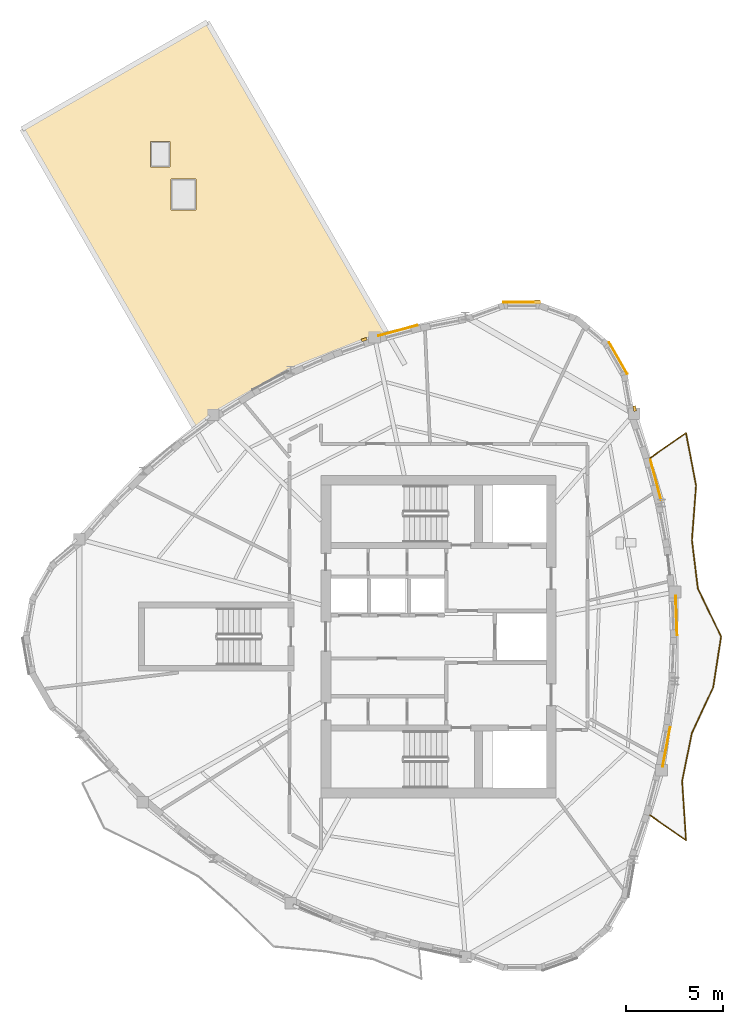
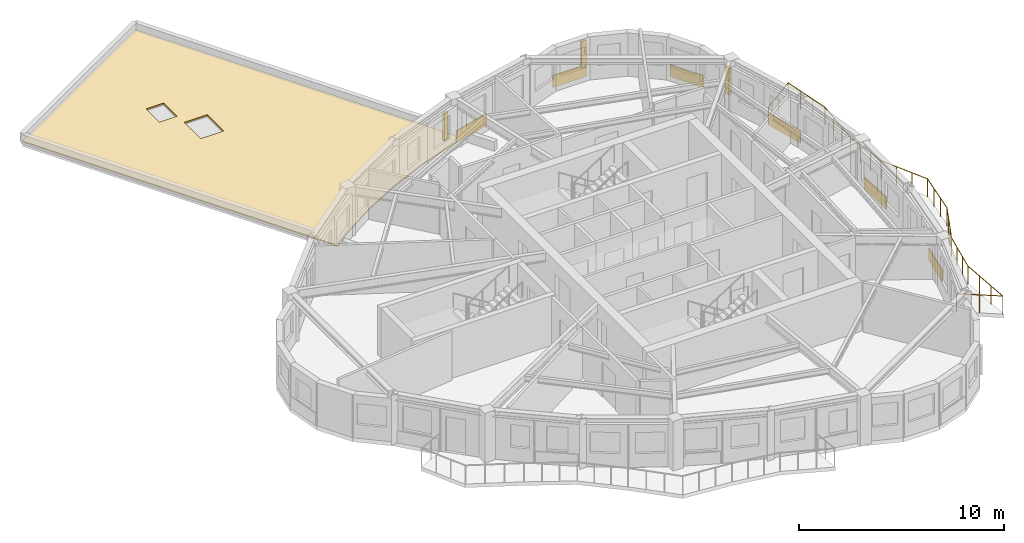
# One storey, part 10 of 11: 7 coverings, 3 shading devices, 1 railing.
"""IFC4 building model written with IfcOpenShell, lengths in metres."""

from ifc_helpers import new_model, si_unit, direction, frame, origin, origin_2d, place, context, subcontext, project, spatial, polyline, rectangle, circle, outline, extrude, source, transform, mapped, material, layer, layer_set, type_object, element, save


model = new_model("IFC4")

# Units and contexts
model_context = context("Model", 3, precision=1e-05, world=origin(), true_north=direction((0.0, 1.0)))
body_context = subcontext(model_context, "Body", "Model", "MODEL_VIEW")
ifc_project = project(units=[si_unit("LENGTHUNIT", "METRE"), si_unit("AREAUNIT", "SQUARE_METRE"), si_unit("VOLUMEUNIT", "CUBIC_METRE"), si_unit("PLANEANGLEUNIT", "RADIAN"), si_unit("MASSUNIT", "GRAM", prefix="KILO")], contexts=[model_context])

# Site, building, storey
site_placement = place(None, origin())
site = spatial("IfcSite", under=ifc_project, at=site_placement, CompositionType="ELEMENT")
building_placement = place(site_placement, origin())
building = spatial("IfcBuilding", under=site, at=building_placement, Name="Qafzar Sky-Pleat Residences", CompositionType="ELEMENT")
storey_placement = place(building_placement, frame((0.0, 0.0, 214.800048828125)))
storey = spatial("IfcBuildingStorey", under=building, at=storey_placement, Name="L64", CompositionType="ELEMENT", Elevation=214.800048828125)

# Covering
ifc_material_1 = material(Name="Inverted elastomeric waterproofing membrane and gravel ballast")
ifc_layer_1 = layer(ifc_material_1, 0.080078125)
ifc_layer_set_1 = layer_set([ifc_layer_1], Name="Inverted elastomeric waterproofing membrane and gravel ballast")
covering_type_1 = type_object("IfcCoveringType", Name="COV-ROOF-MEMB", PredefinedType="ROOFING", material=ifc_layer_set_1)
covering_1_placement = place(storey_placement, origin())
element("IfcCovering", 1, at=covering_1_placement, inside=storey, type_object=covering_type_1, Name="L64 SB-5 Roof Waterproofing Membrane", PredefinedType="ROOFING", context=body_context, shape_type="SweptSolid", body=[
    extrude(outline(polyline([(8.912353515625, 52.131103515625), (18.438720703125, 57.631103515625), (27.694091796875, 41.60009765625), (27.04833984375, 41.42578125), (27.04736328125, 41.42529296875), (24.841796875, 40.655517578125), (24.8408203125, 40.6552734375), (22.722412109375, 39.734130859375), (22.721435546875, 39.733642578125), (20.6904296875, 38.661865234375), (20.689453125, 38.6611328125), (18.74560546875, 37.438232421875), (18.74462890625, 37.4375), (17.799560546875, 36.738037109375), (8.912353515625, 52.131103515625)]), holes=[polyline([(16.562744140625, 47.954345703125), (17.86279296875, 47.954345703125), (17.86279296875, 49.55419921875), (16.562744140625, 49.55419921875), (16.562744140625, 47.954345703125)]), polyline([(15.5126953125, 50.182861328125), (16.5126953125, 50.182861328125), (16.5126953125, 51.48291015625), (15.5126953125, 51.48291015625), (15.5126953125, 50.182861328125)])]), origin(), (0.0, 0.0, 1.0), 0.079833984375),
])

# Shading devices
ifc_material_2 = material(Name="Honed Riyadh limestone solar fin", Category="masonry")
ifc_layer_2 = layer(ifc_material_2, 0.139892578125)
ifc_layer_set_2 = layer_set([ifc_layer_2], Name="Honed Riyadh limestone solar fin")
shading_device_type = type_object("IfcShadingDeviceType", Name="SHD-FIN-STONE", PredefinedType="SHUTTER", material=ifc_layer_set_2)
shared_shape_1 = source(origin(), body_context, "Body", "SweptSolid", [
    extrude(rectangle(XDim=0.139892578125, YDim=0.280029296875, at=origin_2d()), origin(), (0.0, 0.0, 1.0), 1.60009765625),
])
for number, where, z_axis, x_axis, name in (
    (2, (40.443603515625, 37.743408203125, 0.599853515625), (0.0, 0.0, 1.0), (0.984807537751, 0.173649398471, 0.0), "L64 Limestone Solar Fin 33"),
    (3, (35.429931640625, 43.251708984375, 0.599853515625), (0.0, 0.0, 1.0), (0.0, 1.0, 0.0), "L64 Limestone Solar Fin 37"),
    (4, (26.514404296875, 41.292236328125, 0.599853515625), (0.0, 0.0, 1.0), (-0.329539896902, 0.944141650575, 0.0), "L64 Limestone Solar Fin 41"),
):
    element("IfcShadingDevice", number, at=place(storey_placement, frame(where, z_axis=z_axis, x_axis=x_axis)), inside=storey, type_object=shading_device_type, Name=name, PredefinedType="SHUTTER", context=body_context, shape_type="MappedRepresentation", body=[
        mapped(shared_shape_1, transform((0.0, 0.0, 0.0), x_axis=(1.0, 0.0, 0.0), y_axis=(0.0, 1.0, 0.0), z_axis=(0.0, 0.0, 1.0), scale=1.0)),
    ])

# Coverings
ifc_material_3 = material(Name="Honed Riyadh Tuwaiq limestone cladding", Category="masonry")
ifc_layer_3 = layer(ifc_material_3, 0.044921875)
ifc_layer_set_3 = layer_set([ifc_layer_3], Name="Honed Riyadh Tuwaiq limestone cladding")
covering_type_2 = type_object("IfcCoveringType", Name="COV-CLAD-STONE", PredefinedType="CLADDING", material=ifc_layer_set_3)
shared_shape_2 = source(origin(), body_context, "Body", "SweptSolid", [
    extrude(rectangle(XDim=1.88134765625, YDim=0.044921875, at=origin_2d()), origin(), (0.0, 0.0, 1.0), 0.719970703125),
])
covering_2_placement = place(storey_placement, frame((34.625, 43.208740234375, 0.02001953125), z_axis=(0.0, 0.0, 1.0), x_axis=(-1.0, 0.0, 0.0)))
element("IfcCovering", 5, at=covering_2_placement, inside=storey, type_object=covering_type_2, Name="L64 Riyadh Limestone Spandrel Cladding 37", PredefinedType="CLADDING", context=body_context, shape_type="MappedRepresentation", body=[
    mapped(shared_shape_2, transform((0.0, 0.0, 0.0), x_axis=(1.0, 0.0, 0.0), y_axis=(0.0, 1.0, 0.0), z_axis=(0.0, 0.0, 1.0), scale=1.0)),
])
shared_shape_3 = source(origin(), body_context, "Body", "SweptSolid", [
    extrude(rectangle(XDim=1.881103515625, YDim=0.044921875, at=origin_2d()), origin(), (0.0, 0.0, 1.0), 0.719970703125),
])
covering_3_placement = place(storey_placement, frame((39.5908203125, 40.341796875, 0.02001953125), z_axis=(0.0, 0.0, 1.0), x_axis=(-0.499993018474, 0.866029434533, 0.0)))
element("IfcCovering", 6, at=covering_3_placement, inside=storey, type_object=covering_type_2, Name="L64 Riyadh Limestone Spandrel Cladding 34", PredefinedType="CLADDING", context=body_context, shape_type="MappedRepresentation", body=[
    mapped(shared_shape_3, transform((0.0, 0.0, 0.0), x_axis=(1.0, 0.0, 0.0), y_axis=(0.0, 1.0, 0.0), z_axis=(0.0, 0.0, 1.0), scale=1.0)),
])

# Railing
ifc_material_4 = material(Name="Laminated glass and bronze steel balustrade", Category="steel")
railing_type = type_object("IfcRailingType", Name="RAIL-BAL-1100", PredefinedType="BALUSTRADE", material=ifc_material_4)
shared_shape_4 = source(origin(), body_context, "Body", "SweptSolid", [
    extrude(circle(Radius=0.02392578125, at=origin_2d()), frame((0.0, 0.0, 1.076171875), z_axis=(0.821176833511, -0.570673819361, 0.0), x_axis=(0.570673819361, 0.821176833511, 0.0)), (0.0, 0.0, 1.0), 2.270751953125),
    extrude(circle(Radius=0.02392578125, at=origin_2d()), frame((1.86474609375, -1.2958984375, 1.076171875), z_axis=(-0.064736959789, 0.997902362978, 0.0), x_axis=(-0.997902362978, -0.064736959789, 0.0)), (0.0, 0.0, 1.0), 3.073486328125),
    extrude(circle(Radius=0.02392578125, at=origin_2d()), frame((1.665771484375, 1.771240234375, 1.076171875), z_axis=(0.200506485062, 0.979692374905, 0.0), x_axis=(-0.979692374905, 0.200506485062, 0.0)), (0.0, 0.0, 1.0), 2.511962890625),
    extrude(circle(Radius=0.02392578125, at=origin_2d()), frame((2.16943359375, 4.232177734375, 1.076171875), z_axis=(0.422359311147, 0.90642849265, 0.0), x_axis=(-0.90642849265, 0.422359311147, 0.0)), (0.0, 0.0, 1.0), 2.59130859375),
    extrude(circle(Radius=0.02392578125, at=origin_2d()), frame((3.263916015625, 6.5810546875, 1.076171875), z_axis=(0.153323300739, 0.988176080185, 0.0), x_axis=(-0.988176080185, 0.153323300739, 0.0)), (0.0, 0.0, 1.0), 2.636962890625),
    extrude(circle(Radius=0.02392578125, at=origin_2d()), frame((3.668212890625, 9.186767578125, 1.076171875), z_axis=(-0.433863606742, 0.900978562866, 0.0), x_axis=(-0.900978562866, -0.433863606742, 0.0)), (0.0, 0.0, 1.0), 2.75341796875),
    extrude(circle(Radius=0.02392578125, at=origin_2d()), frame((2.4736328125, 11.66748046875, 1.076171875), z_axis=(-0.122045352575, 0.992524524591, 0.0), x_axis=(-0.992524524591, -0.122045352575, 0.0)), (0.0, 0.0, 1.0), 2.492431640625),
    extrude(circle(Radius=0.02392578125, at=origin_2d()), frame((2.16943359375, 14.141357421875, 1.076171875), z_axis=(0.075170135084, 0.997170722992, 0.0), x_axis=(-0.997170722992, 0.075170135084, 0.0)), (0.0, 0.0, 1.0), 2.82568359375),
    extrude(circle(Radius=0.02392578125, at=origin_2d()), frame((2.3818359375, 16.958984375, 1.076171875), z_axis=(-0.187396701496, 0.982284315394, 0.0), x_axis=(-0.982284315394, -0.187396701496, 0.0)), (0.0, 0.0, 1.0), 2.75927734375),
    extrude(circle(Radius=0.02392578125, at=origin_2d()), frame((1.86474609375, 19.66943359375, 1.076171875), z_axis=(-0.821176833511, -0.570673819361, 0.0), x_axis=(0.570673819361, -0.821176833511, 0.0)), (0.0, 0.0, 1.0), 2.270751953125),
    extrude(circle(Radius=0.02099609375, at=origin_2d()), origin(), (0.0, 0.0, 1.0), 1.052001953125),
    extrude(circle(Radius=0.02099609375, at=origin_2d()), frame((0.932373046875, -0.64794921875, 0.0)), (0.0, 0.0, 1.0), 1.052001953125),
    extrude(circle(Radius=0.02099609375, at=origin_2d()), frame((1.86474609375, -1.2958984375, 0.0)), (0.0, 0.0, 1.0), 1.052001953125),
    extrude(circle(Radius=0.02099609375, at=origin_2d()), frame((1.79833984375, -0.2734375, 0.0)), (0.0, 0.0, 1.0), 1.052001953125),
    extrude(circle(Radius=0.02099609375, at=origin_2d()), frame((1.732177734375, 0.748779296875, 0.0)), (0.0, 0.0, 1.0), 1.052001953125),
    extrude(circle(Radius=0.02099609375, at=origin_2d()), frame((1.665771484375, 1.771240234375, 0.0)), (0.0, 0.0, 1.0), 1.052001953125),
    extrude(circle(Radius=0.02099609375, at=origin_2d()), frame((1.833740234375, 2.591552734375, 0.0)), (0.0, 0.0, 1.0), 1.052001953125),
    extrude(circle(Radius=0.02099609375, at=origin_2d()), frame((2.00146484375, 3.411865234375, 0.0)), (0.0, 0.0, 1.0), 1.052001953125),
    extrude(circle(Radius=0.02099609375, at=origin_2d()), frame((2.16943359375, 4.232177734375, 0.0)), (0.0, 0.0, 1.0), 1.052001953125),
    extrude(circle(Radius=0.02099609375, at=origin_2d()), frame((2.5341796875, 5.01513671875, 0.0)), (0.0, 0.0, 1.0), 1.052001953125),
    extrude(circle(Radius=0.02099609375, at=origin_2d()), frame((2.899169921875, 5.798095703125, 0.0)), (0.0, 0.0, 1.0), 1.052001953125),
    extrude(circle(Radius=0.02099609375, at=origin_2d()), frame((3.263916015625, 6.5810546875, 0.0)), (0.0, 0.0, 1.0), 1.052001953125),
    extrude(circle(Radius=0.02099609375, at=origin_2d()), frame((3.398681640625, 7.44970703125, 0.0)), (0.0, 0.0, 1.0), 1.052001953125),
    extrude(circle(Radius=0.02099609375, at=origin_2d()), frame((3.533447265625, 8.318115234375, 0.0)), (0.0, 0.0, 1.0), 1.052001953125),
    extrude(circle(Radius=0.02099609375, at=origin_2d()), frame((3.668212890625, 9.186767578125, 0.0)), (0.0, 0.0, 1.0), 1.052001953125),
    extrude(circle(Radius=0.02099609375, at=origin_2d()), frame((3.27001953125, 10.013671875, 0.0)), (0.0, 0.0, 1.0), 1.052001953125),
    extrude(circle(Radius=0.02099609375, at=origin_2d()), frame((2.871826171875, 10.840576171875, 0.0)), (0.0, 0.0, 1.0), 1.052001953125),
    extrude(circle(Radius=0.02099609375, at=origin_2d()), frame((2.4736328125, 11.66748046875, 0.0)), (0.0, 0.0, 1.0), 1.052001953125),
    extrude(circle(Radius=0.02099609375, at=origin_2d()), frame((2.372314453125, 12.4921875, 0.0)), (0.0, 0.0, 1.0), 1.052001953125),
    extrude(circle(Radius=0.02099609375, at=origin_2d()), frame((2.270751953125, 13.316650390625, 0.0)), (0.0, 0.0, 1.0), 1.052001953125),
    extrude(circle(Radius=0.02099609375, at=origin_2d()), frame((2.16943359375, 14.141357421875, 0.0)), (0.0, 0.0, 1.0), 1.052001953125),
    extrude(circle(Radius=0.02099609375, at=origin_2d()), frame((2.240234375, 15.08056640625, 0.0)), (0.0, 0.0, 1.0), 1.052001953125),
    extrude(circle(Radius=0.02099609375, at=origin_2d()), frame((2.31103515625, 16.019775390625, 0.0)), (0.0, 0.0, 1.0), 1.052001953125),
    extrude(circle(Radius=0.02099609375, at=origin_2d()), frame((2.3818359375, 16.958984375, 0.0)), (0.0, 0.0, 1.0), 1.052001953125),
    extrude(circle(Radius=0.02099609375, at=origin_2d()), frame((2.20947265625, 17.862548828125, 0.0)), (0.0, 0.0, 1.0), 1.052001953125),
    extrude(circle(Radius=0.02099609375, at=origin_2d()), frame((2.037109375, 18.765869140625, 0.0)), (0.0, 0.0, 1.0), 1.052001953125),
    extrude(circle(Radius=0.02099609375, at=origin_2d()), frame((1.86474609375, 19.66943359375, 0.0)), (0.0, 0.0, 1.0), 1.052001953125),
    extrude(circle(Radius=0.02099609375, at=origin_2d()), frame((0.932373046875, 19.021484375, 0.0)), (0.0, 0.0, 1.0), 1.052001953125),
    extrude(circle(Radius=0.02099609375, at=origin_2d()), frame((0.0, 18.37353515625, 0.0)), (0.0, 0.0, 1.0), 1.052001953125),
])
railing_placement = place(storey_placement, frame((41.2197265625, 16.813232421875, 0.0)))
element("IfcRailing", 7, at=railing_placement, inside=storey, type_object=railing_type, Name="L64 Pleated Balcony 1 Balustrade", PredefinedType="BALUSTRADE", context=body_context, shape_type="MappedRepresentation", body=[
    mapped(shared_shape_4, transform((0.0, 0.0, 0.0), x_axis=(1.0, 0.0, 0.0), y_axis=(0.0, 1.0, 0.0), z_axis=(0.0, 0.0, 1.0), scale=1.0)),
])

# Coverings
shared_shape_5 = source(origin(), body_context, "Body", "SweptSolid", [
    extrude(rectangle(XDim=2.0556640625, YDim=0.044921875, at=origin_2d()), origin(), (0.0, 0.0, 1.0), 0.719970703125),
])
covering_4_placement = place(storey_placement, frame((42.072021484375, 20.3212890625, 0.02001953125), z_axis=(0.0, 0.0, 1.0), x_axis=(0.186685576999, 0.98241971445, 0.0)))
element("IfcCovering", 8, at=covering_4_placement, inside=storey, type_object=covering_type_2, Name="L64 Riyadh Limestone Spandrel Cladding 25", PredefinedType="CLADDING", context=body_context, shape_type="MappedRepresentation", body=[
    mapped(shared_shape_5, transform((0.0, 0.0, 0.0), x_axis=(1.0, 0.0, 0.0), y_axis=(0.0, 1.0, 0.0), z_axis=(0.0, 0.0, 1.0), scale=1.0)),
])
shared_shape_6 = source(origin(), body_context, "Body", "SweptSolid", [
    extrude(rectangle(XDim=2.020263671875, YDim=0.044921875, at=origin_2d()), origin(), (0.0, 0.0, 1.0), 0.719970703125),
])
covering_5_placement = place(storey_placement, frame((42.5859375, 27.08447265625, 0.02001953125), z_axis=(0.0, 0.0, 1.0), x_axis=(-0.038001954887, 0.999277664828, 0.0)))
element("IfcCovering", 9, at=covering_5_placement, inside=storey, type_object=covering_type_2, Name="L64 Riyadh Limestone Spandrel Cladding 28", PredefinedType="CLADDING", context=body_context, shape_type="MappedRepresentation", body=[
    mapped(shared_shape_6, transform((0.0, 0.0, 0.0), x_axis=(1.0, 0.0, 0.0), y_axis=(0.0, 1.0, 0.0), z_axis=(0.0, 0.0, 1.0), scale=1.0)),
])
shared_shape_7 = source(origin(), body_context, "Body", "SweptSolid", [
    extrude(rectangle(XDim=2.153564453125, YDim=0.044921875, at=origin_2d()), origin(), (0.0, 0.0, 1.0), 0.719970703125),
])
covering_6_placement = place(storey_placement, frame((41.52880859375, 34.066162109375, 0.02001953125), z_axis=(0.0, 0.0, 1.0), x_axis=(-0.257022703512, 0.966405365196, 0.0)))
element("IfcCovering", 10, at=covering_6_placement, inside=storey, type_object=covering_type_2, Name="L64 Riyadh Limestone Spandrel Cladding 31", PredefinedType="CLADDING", context=body_context, shape_type="MappedRepresentation", body=[
    mapped(shared_shape_7, transform((0.0, 0.0, 0.0), x_axis=(1.0, 0.0, 0.0), y_axis=(0.0, 1.0, 0.0), z_axis=(0.0, 0.0, 1.0), scale=1.0)),
])
shared_shape_8 = source(origin(), body_context, "Body", "SweptSolid", [
    extrude(rectangle(XDim=2.090576171875, YDim=0.044921875, at=origin_2d()), origin(), (0.0, 0.0, 1.0), 0.719970703125),
])
covering_7_placement = place(storey_placement, frame((28.2548828125, 41.758544921875, 0.02001953125), z_axis=(0.0, 0.0, 1.0), x_axis=(-0.965461793554, -0.260544670235, 0.0)))
element("IfcCovering", 11, at=covering_7_placement, inside=storey, type_object=covering_type_2, Name="L64 Riyadh Limestone Spandrel Cladding 40", PredefinedType="CLADDING", context=body_context, shape_type="MappedRepresentation", body=[
    mapped(shared_shape_8, transform((0.0, 0.0, 0.0), x_axis=(1.0, 0.0, 0.0), y_axis=(0.0, 1.0, 0.0), z_axis=(0.0, 0.0, 1.0), scale=1.0)),
])

save(model, "model.ifc")
